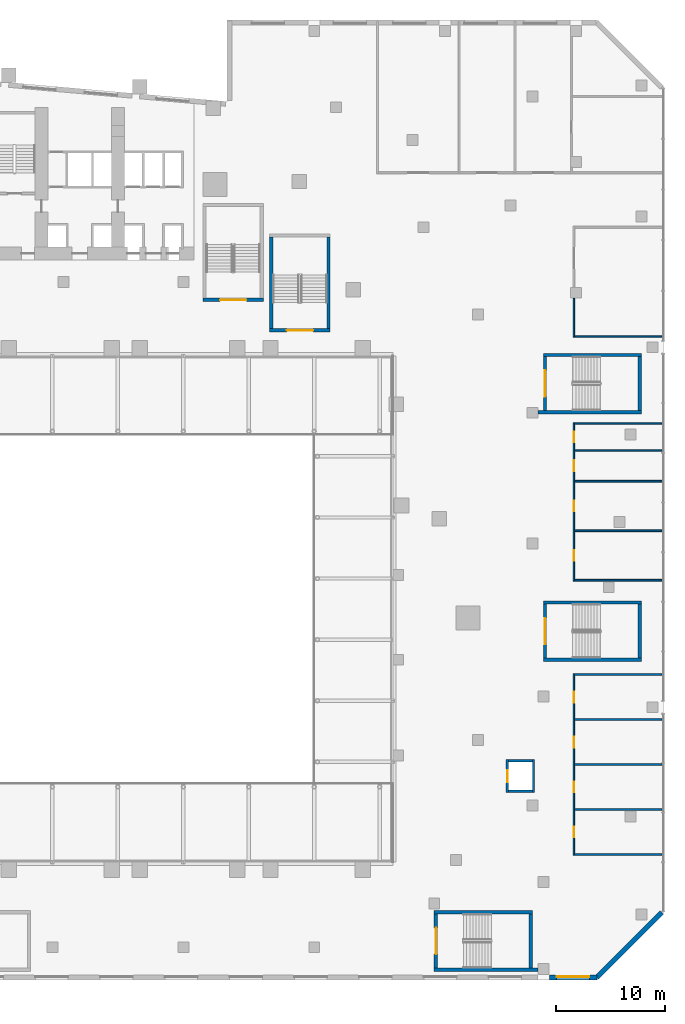
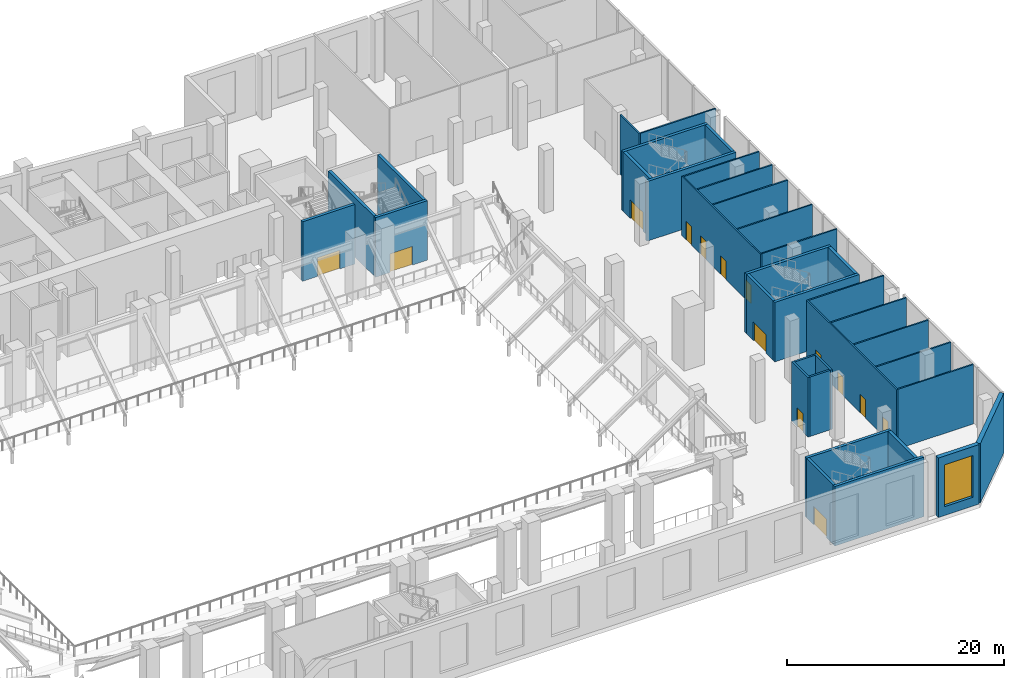
# One storey, part 23 of 41: 36 walls, 14 doors, 1 window, 15 openings.
"""IFC4 building model written with IfcOpenShell, lengths in metres."""

import ifcopenshell
import ifcopenshell.guid

model = None  # the IFC model being written
_history = None  # IfcOwnerHistory: only IFC2X3 demands one
_inside = {}  # id of a spatial element -> (the spatial element, [elements in it])
_under = {}  # id of a project, library or spatial element -> (it, [spatial elements below it])
_declared = {}  # id of a project -> (the project, [libraries it declares])
_typed = {}  # id of a type object -> (the type object, [elements of that type])
_made_of = {}  # id of a material, layer set ... -> (it, [elements and type objects made of it])


def new_model(schema):
    """Start an empty IFC model of exactly this schema.

    Asked for "IFC4X3", IfcOpenShell would pick the latest addendum, in which some entities
    have other attributes; the version numbers below select the first issue.
    IFC2X3 requires an IfcOwnerHistory on every rooted entity: one is made here for all.
    """
    global model, _history
    if schema == "IFC4X3":
        model = ifcopenshell.file(schema_version=(4, 3, 0, 0))
    else:
        model = ifcopenshell.file(schema=schema)
    _inside.clear()
    _under.clear()
    _declared.clear()
    _typed.clear()
    _made_of.clear()
    _history = None
    if model.schema == "IFC2X3":
        org = make("IfcOrganization", Name="unknown")
        user = make(
            "IfcPersonAndOrganization",
            ThePerson=make("IfcPerson", FamilyName="unknown"),
            TheOrganization=org,
        )
        app = make(
            "IfcApplication",
            ApplicationDeveloper=org,
            Version="unknown",
            ApplicationFullName="unknown",
            ApplicationIdentifier="unknown",
        )
        _history = make(
            "IfcOwnerHistory",
            OwningUser=user,
            OwningApplication=app,
            ChangeAction="ADDED",
            CreationDate=0,
        )
    return model


def make(cls, **values):
    """One entity of the class cls with the attributes given. An attribute that is None is left unset."""
    return model.create_entity(
        cls, **{name: value for name, value in values.items() if value is not None}
    )


def rooted(cls, **values):
    """An entity with a GlobalId (a new one), such as an element, a storey or a relation."""
    return make(cls, GlobalId=ifcopenshell.guid.new(), OwnerHistory=_history, **values)


def si_unit(unit_type, name, prefix=None):
    """IfcSIUnit, for example si_unit("LENGTHUNIT", "METRE", prefix="MILLI")."""
    return make("IfcSIUnit", UnitType=unit_type, Prefix=prefix, Name=name)


def assignment(units):
    """IfcUnitAssignment: the units of a project."""
    return None if units is None else make("IfcUnitAssignment", Units=units)


def point(xyz):
    """IfcCartesianPoint."""
    return None if xyz is None else make("IfcCartesianPoint", Coordinates=xyz)


def direction(xyz):
    """IfcDirection."""
    return None if xyz is None else make("IfcDirection", DirectionRatios=xyz)


def frame(location, z_axis=None, x_axis=None):
    """IfcAxis2Placement3D, a coordinate frame: its origin and axes. An axis left out is left unset."""
    return make(
        "IfcAxis2Placement3D",
        Location=point(location),
        Axis=direction(z_axis),
        RefDirection=direction(x_axis),
    )


def frame_2d(location, x_axis=None):
    """IfcAxis2Placement2D, a coordinate frame in the plane: its origin and x axis."""
    return make(
        "IfcAxis2Placement2D", Location=point(location), RefDirection=direction(x_axis)
    )


def origin():
    """The frame at (0, 0, 0) with its axes left unset."""
    return frame((0.0, 0.0, 0.0))


def place(relative_to, where):
    """IfcLocalPlacement: puts the frame where relative to a parent placement (None: the world)."""
    return make(
        "IfcLocalPlacement", PlacementRelTo=relative_to, RelativePlacement=where
    )


def context(
    kind, dimensions, precision=None, world=None, true_north=None, identifier=None
):
    """IfcGeometricRepresentationContext, for example the 3D "Model" context."""
    return make(
        "IfcGeometricRepresentationContext",
        ContextIdentifier=identifier,
        ContextType=kind,
        CoordinateSpaceDimension=dimensions,
        Precision=precision,
        WorldCoordinateSystem=world,
        TrueNorth=true_north,
    )


def subcontext(parent, identifier, kind, view, scale=None):
    """IfcGeometricRepresentationSubContext, for example "Body" below "Model"."""
    return make(
        "IfcGeometricRepresentationSubContext",
        ContextIdentifier=identifier,
        ContextType=kind,
        ParentContext=parent,
        TargetScale=scale,
        TargetView=view,
    )


def project(units=None, contexts=None):
    """IfcProject with its units and contexts."""
    return rooted(
        "IfcProject",
        Name="project",
        RepresentationContexts=contexts,
        UnitsInContext=assignment(units),
    )


def spatial(cls, under=None, at=None, **own):
    """A site, building, storey or space (cls), placed at a placement, below another one or the project."""
    s = rooted(cls, ObjectPlacement=at, **own)
    if under is not None:
        _under.setdefault(under.id(), (under, []))[1].append(s)
    return s


def profile(cls, at=None, kind="AREA", **sizes):
    """A parametric profile (cls). Its sizes go by their IFC names, for example OverallWidth=200.0."""
    return make(cls, ProfileType=kind, Position=at, **sizes)


def rectangle(**sizes):
    """IfcRectangleProfileDef."""
    return profile("IfcRectangleProfileDef", **sizes)


def extrude(swept, where, along, depth):
    """IfcExtrudedAreaSolid: the profile swept, set in the frame where, extruded along a direction by depth."""
    return make(
        "IfcExtrudedAreaSolid",
        SweptArea=swept,
        Position=where,
        ExtrudedDirection=direction(along),
        Depth=depth,
    )


def shape(context_of_items, identifier, shape_type, items):
    """IfcShapeRepresentation: the items that make up one representation, for example the "Body"."""
    return make(
        "IfcShapeRepresentation",
        ContextOfItems=context_of_items,
        RepresentationIdentifier=identifier,
        RepresentationType=shape_type,
        Items=items,
    )


def material(Name=None, Category=None):
    """IfcMaterial."""
    return make("IfcMaterial", Name=Name, Category=Category)


def layer(
    of_material, thickness, ventilated=None, Name=None, Category=None, Priority=None
):
    """IfcMaterialLayer: one layer of a wall or slab, of a material (None: an air gap)."""
    return make(
        "IfcMaterialLayer",
        Material=of_material,
        LayerThickness=thickness,
        IsVentilated=ventilated,
        Name=Name,
        Category=Category,
        Priority=Priority,
    )


def layer_set(layers, Name=None):
    """IfcMaterialLayerSet."""
    return make("IfcMaterialLayerSet", MaterialLayers=layers, LayerSetName=Name)


def made_of(thing, what):
    """Note that an element or type object is made of a material, layer set ...; save() writes the relation."""
    if what is not None:
        _made_of.setdefault(what.id(), (what, []))[1].append(thing)
    return thing


def type_object(cls, material=None, **own):
    """A type object (cls), such as IfcWallType, which elements share."""
    return made_of(rooted(cls, **own), material)


def element(
    cls,
    number,
    at=None,
    inside=None,
    cuts=None,
    type_object=None,
    material=None,
    context=None,
    identifier="Body",
    shape_type=None,
    held_by="IfcProductDefinitionShape",
    body=None,
    shapes=None,
    **own,
):
    """One element of the class cls, such as IfcWall. Its Tag is "e" and its number.

    at: its placement. inside: the storey or other place that contains it. cuts: it is an
    opening in that element (IfcRelVoidsElement). A single representation is given by context,
    identifier, shape_type and body (its items); several are given by shapes. held_by: the class
    of the entity that holds the representations. save() writes the other relations.
    """
    e = rooted(cls, Tag="e%d" % number, ObjectPlacement=at, **own)
    if body is not None:
        shapes = [shape(context, identifier, shape_type, body)]
    if shapes is not None:
        e.Representation = make(held_by, Representations=shapes)
    if inside is not None:
        _inside.setdefault(inside.id(), (inside, []))[1].append(e)
    if cuts is not None:
        rooted(
            "IfcRelVoidsElement", RelatingBuildingElement=cuts, RelatedOpeningElement=e
        )
    if type_object is not None:
        _typed.setdefault(type_object.id(), (type_object, []))[1].append(e)
    return made_of(e, material)


def fill(opening, filler):
    """IfcRelFillsElement: the door or window that sits in an opening."""
    return rooted(
        "IfcRelFillsElement",
        RelatingOpeningElement=opening,
        RelatedBuildingElement=filler,
    )


def aggregate(whole, parts):
    """IfcRelAggregates: a whole, such as a stair, and the parts it consists of."""
    return rooted("IfcRelAggregates", RelatingObject=whole, RelatedObjects=parts)


def save(model, path):
    """Write the relations noted so far, then the file.

    IfcRelAggregates (storeys below a building ...), IfcRelContainedInSpatialStructure (elements
    in a storey), IfcRelDefinesByType, IfcRelAssociatesMaterial and IfcRelDeclares: one each for
    every whole, place, type object, material and project.
    """
    for whole, parts in _under.values():
        aggregate(whole, parts)
    for where, things in _inside.values():
        rooted(
            "IfcRelContainedInSpatialStructure",
            RelatedElements=things,
            RelatingStructure=where,
        )
    for kind, things in _typed.values():
        rooted("IfcRelDefinesByType", RelatedObjects=things, RelatingType=kind)
    for what, things in _made_of.values():
        rooted("IfcRelAssociatesMaterial", RelatedObjects=things, RelatingMaterial=what)
    for by, libraries in _declared.values():
        rooted("IfcRelDeclares", RelatingContext=by, RelatedDefinitions=libraries)
    model.write(path)


model = new_model("IFC4")

# Units and contexts
model_context = context("Model", 3, precision=1e-05, world=origin(), true_north=direction((0.0, 1.0)))
body_context = subcontext(model_context, "Body", "Model", "MODEL_VIEW")
ifc_project = project(units=[si_unit("LENGTHUNIT", "METRE"), si_unit("AREAUNIT", "SQUARE_METRE"), si_unit("VOLUMEUNIT", "CUBIC_METRE"), si_unit("PLANEANGLEUNIT", "RADIAN"), si_unit("MASSUNIT", "GRAM", prefix="KILO")], contexts=[model_context])

# Site, building, storey
site_placement = place(None, origin())
site = spatial("IfcSite", under=ifc_project, at=site_placement, CompositionType="ELEMENT")
building_placement = place(site_placement, origin())
building = spatial("IfcBuilding", under=site, at=building_placement, Name="Wharfspan Tower", CompositionType="ELEMENT")
storey_placement = place(building_placement, frame((0.0, 0.0, 8.0)))
storey = spatial("IfcBuildingStorey", under=building, at=storey_placement, Name="L01", CompositionType="ELEMENT", Elevation=8.0)

# Walls
ifc_material_1 = material(Name="Calcium silicate masonry", Category="masonry")
ifc_layer_1 = layer(ifc_material_1, 0.149902)
ifc_layer_set_1 = layer_set([ifc_layer_1], Name="Calcium silicate masonry")
wall_type_1 = type_object("IfcWallType", Name="Podium room wall 150", PredefinedType="PARTITIONING", material=ifc_layer_set_1)
for number, where, z_axis, x_axis, name in (
    (1, (99.875, -20.5, 0.0), (0.0, 0.0, 1.0), (1.0, 0.0, 0.0), "iw:L01:2"),
    (2, (99.875, -4.0, 0.0), (0.0, 0.0, 1.0), (1.0, 0.0, 0.0), "iw:L01:10"),
    (3, (99.875, 19.0, 0.0), (0.0, 0.0, 1.0), (1.0, 0.0, 0.0), "iw:L01:16"),
    (4, (99.875, 4.649902, 0.0), (0.0, 0.0, 1.0), (1.0, 0.0, 0.0), "iw:L01:17"),
    (5, (99.875, 9.181885, 0.0), (0.0, 0.0, 1.0), (1.0, 0.0, 0.0), "iw:L01:18"),
):
    element("IfcWall", number, at=place(storey_placement, frame(where, z_axis=z_axis, x_axis=x_axis)), inside=storey, type_object=wall_type_1, Name=name, PredefinedType="PARTITIONING", context=body_context, shape_type="SweptSolid", body=[
        extrude(rectangle(XDim=8.02002, YDim=0.149902, at=frame_2d((4.01001, 0.0))), origin(), (0.0, 0.0, 1.0), 6.699951),
    ])

# Wall, openings, doors
wall_1_placement = place(storey_placement, frame((99.800049, -20.574951, 0.0), z_axis=(0.0, 0.0, 1.0), x_axis=(0.0, 1.0, 0.0)))
wall_1 = element("IfcWall", 6, at=wall_1_placement, inside=storey, type_object=wall_type_1, Name="iw:L01:19", PredefinedType="PARTITIONING", context=body_context, shape_type="SweptSolid", body=[
    extrude(rectangle(XDim=16.649902, YDim=0.149902, at=frame_2d((8.324951, 0.0))), origin(), (0.0, 0.0, 1.0), 6.699951),
])
opening_1_placement = place(wall_1_placement, frame((1.637451, 0.0, 0.0)))
opening_1 = element("IfcOpeningElement", 7, at=opening_1_placement, cuts=wall_1, Name="Opening PD01.13", PredefinedType="OPENING", context=body_context, shape_type="SweptSolid", body=[
    extrude(rectangle(XDim=1.0, YDim=2.100098, at=frame_2d((0.5, 1.050049))), frame((0.0, 0.084961, 0.0), z_axis=(0.0, -1.0, 0.0), x_axis=(1.0, 0.0, 0.0)), (0.0, 0.0, 1.0), 0.169922),
])
opening_2_placement = place(wall_1_placement, frame((5.762451, 0.0, 0.0)))
opening_2 = element("IfcOpeningElement", 8, at=opening_2_placement, cuts=wall_1, Name="Opening PD01.14", PredefinedType="OPENING", context=body_context, shape_type="SweptSolid", body=[
    extrude(rectangle(XDim=1.0, YDim=2.100098, at=frame_2d((0.5, 1.050049))), frame((0.0, 0.084961, 0.0), z_axis=(0.0, -1.0, 0.0), x_axis=(1.0, 0.0, 0.0)), (0.0, 0.0, 1.0), 0.169922),
])
opening_3_placement = place(wall_1_placement, frame((9.887451, 0.0, 0.0)))
opening_3 = element("IfcOpeningElement", 9, at=opening_3_placement, cuts=wall_1, Name="Opening PD01.15", PredefinedType="OPENING", context=body_context, shape_type="SweptSolid", body=[
    extrude(rectangle(XDim=1.0, YDim=2.100098, at=frame_2d((0.5, 1.050049))), frame((0.0, 0.084961, 0.0), z_axis=(0.0, -1.0, 0.0), x_axis=(1.0, 0.0, 0.0)), (0.0, 0.0, 1.0), 0.169922),
])
opening_4_placement = place(wall_1_placement, frame((14.012451, 0.0, 0.0)))
opening_4 = element("IfcOpeningElement", 10, at=opening_4_placement, cuts=wall_1, Name="Opening PD01.16", PredefinedType="OPENING", context=body_context, shape_type="SweptSolid", body=[
    extrude(rectangle(XDim=1.0, YDim=2.100098, at=frame_2d((0.5, 1.050049))), frame((0.0, 0.084961, 0.0), z_axis=(0.0, -1.0, 0.0), x_axis=(1.0, 0.0, 0.0)), (0.0, 0.0, 1.0), 0.169922),
])
ifc_material_2 = material(Name="Steel door leaf", Category="steel")
door_type_1 = type_object("IfcDoorType", Name="Podium room door 1000x2100", OperationType="SINGLE_SWING_LEFT", PredefinedType="DOOR", material=ifc_material_2)
door_1_placement = place(opening_1_placement, origin())
door_1 = element("IfcDoor", 11, at=door_1_placement, inside=storey, type_object=door_type_1, Name="id:L01:13", OperationType="SINGLE_SWING_RIGHT", OverallHeight=2.100098, OverallWidth=1.0, PredefinedType="DOOR", context=body_context, shape_type="SweptSolid", body=[
    extrude(rectangle(XDim=1.0, YDim=2.100098, at=frame_2d((0.5, 1.050049))), frame((0.0, 0.024902, 0.0), z_axis=(0.0, -1.0, 0.0), x_axis=(1.0, 0.0, 0.0)), (0.0, 0.0, 1.0), 0.050049),
])
fill(opening_1, door_1)
door_2_placement = place(opening_2_placement, origin())
door_2 = element("IfcDoor", 12, at=door_2_placement, inside=storey, type_object=door_type_1, Name="id:L01:14", OperationType="SINGLE_SWING_LEFT", OverallHeight=2.100098, OverallWidth=1.0, PredefinedType="DOOR", context=body_context, shape_type="SweptSolid", body=[
    extrude(rectangle(XDim=1.0, YDim=2.100098, at=frame_2d((0.5, 1.050049))), frame((0.0, 0.024902, 0.0), z_axis=(0.0, -1.0, 0.0), x_axis=(1.0, 0.0, 0.0)), (0.0, 0.0, 1.0), 0.050049),
])
fill(opening_2, door_2)
door_3_placement = place(opening_3_placement, origin())
door_3 = element("IfcDoor", 13, at=door_3_placement, inside=storey, type_object=door_type_1, Name="id:L01:15", OperationType="SINGLE_SWING_RIGHT", OverallHeight=2.100098, OverallWidth=1.0, PredefinedType="DOOR", context=body_context, shape_type="SweptSolid", body=[
    extrude(rectangle(XDim=1.0, YDim=2.100098, at=frame_2d((0.5, 1.050049))), frame((0.0, 0.024902, 0.0), z_axis=(0.0, -1.0, 0.0), x_axis=(1.0, 0.0, 0.0)), (0.0, 0.0, 1.0), 0.050049),
])
fill(opening_3, door_3)
door_4_placement = place(opening_4_placement, origin())
door_4 = element("IfcDoor", 14, at=door_4_placement, inside=storey, type_object=door_type_1, Name="id:L01:16", OperationType="SINGLE_SWING_LEFT", OverallHeight=2.100098, OverallWidth=1.0, PredefinedType="DOOR", context=body_context, shape_type="SweptSolid", body=[
    extrude(rectangle(XDim=1.0, YDim=2.100098, at=frame_2d((0.5, 1.050049))), frame((0.0, 0.024902, 0.0), z_axis=(0.0, -1.0, 0.0), x_axis=(1.0, 0.0, 0.0)), (0.0, 0.0, 1.0), 0.050049),
])
fill(opening_4, door_4)

wall_2_placement = place(storey_placement, frame((99.800049, 4.574951, 0.0), z_axis=(0.0, 0.0, 1.0), x_axis=(0.0, 1.0, 0.0)))
wall_2 = element("IfcWall", 15, at=wall_2_placement, inside=storey, type_object=wall_type_1, Name="iw:L01:20", PredefinedType="PARTITIONING", context=body_context, shape_type="SweptSolid", body=[
    extrude(rectangle(XDim=14.5, YDim=0.149902, at=frame_2d((7.25, 0.0))), origin(), (0.0, 0.0, 1.0), 6.699951),
])
opening_5_placement = place(wall_2_placement, frame((1.84082, 0.0, 0.0)))
opening_5 = element("IfcOpeningElement", 16, at=opening_5_placement, cuts=wall_2, Name="Opening PD01.9", PredefinedType="OPENING", context=body_context, shape_type="SweptSolid", body=[
    extrude(rectangle(XDim=1.0, YDim=2.100098, at=frame_2d((0.5, 1.050049))), frame((0.0, 0.084961, 0.0), z_axis=(0.0, -1.0, 0.0), x_axis=(1.0, 0.0, 0.0)), (0.0, 0.0, 1.0), 0.169922),
])
opening_6_placement = place(wall_2_placement, frame((6.372314, 0.0, 0.0)))
opening_6 = element("IfcOpeningElement", 17, at=opening_6_placement, cuts=wall_2, Name="Opening PD01.10", PredefinedType="OPENING", context=body_context, shape_type="SweptSolid", body=[
    extrude(rectangle(XDim=1.0, YDim=2.100098, at=frame_2d((0.5, 1.050049))), frame((0.0, 0.084961, 0.0), z_axis=(0.0, -1.0, 0.0), x_axis=(1.0, 0.0, 0.0)), (0.0, 0.0, 1.0), 0.169922),
])
opening_7_placement = place(wall_2_placement, frame((10.054199, 0.0, 0.0)))
opening_7 = element("IfcOpeningElement", 18, at=opening_7_placement, cuts=wall_2, Name="Opening PD01.11", PredefinedType="OPENING", context=body_context, shape_type="SweptSolid", body=[
    extrude(rectangle(XDim=1.0, YDim=2.100098, at=frame_2d((0.5, 1.050049))), frame((0.0, 0.084961, 0.0), z_axis=(0.0, -1.0, 0.0), x_axis=(1.0, 0.0, 0.0)), (0.0, 0.0, 1.0), 0.169922),
])
opening_8_placement = place(wall_2_placement, frame((12.697754, 0.0, 0.0)))
opening_8 = element("IfcOpeningElement", 19, at=opening_8_placement, cuts=wall_2, Name="Opening PD01.12", PredefinedType="OPENING", context=body_context, shape_type="SweptSolid", body=[
    extrude(rectangle(XDim=1.0, YDim=2.100098, at=frame_2d((0.5, 1.050049))), frame((0.0, 0.084961, 0.0), z_axis=(0.0, -1.0, 0.0), x_axis=(1.0, 0.0, 0.0)), (0.0, 0.0, 1.0), 0.169922),
])
door_5_placement = place(opening_5_placement, origin())
door_5 = element("IfcDoor", 20, at=door_5_placement, inside=storey, type_object=door_type_1, Name="id:L01:9", OperationType="SINGLE_SWING_RIGHT", OverallHeight=2.100098, OverallWidth=1.0, PredefinedType="DOOR", context=body_context, shape_type="SweptSolid", body=[
    extrude(rectangle(XDim=1.0, YDim=2.100098, at=frame_2d((0.5, 1.050049))), frame((0.0, 0.024902, 0.0), z_axis=(0.0, -1.0, 0.0), x_axis=(1.0, 0.0, 0.0)), (0.0, 0.0, 1.0), 0.050049),
])
fill(opening_5, door_5)
door_6_placement = place(opening_6_placement, origin())
door_6 = element("IfcDoor", 21, at=door_6_placement, inside=storey, type_object=door_type_1, Name="id:L01:10", OperationType="SINGLE_SWING_LEFT", OverallHeight=2.100098, OverallWidth=1.0, PredefinedType="DOOR", context=body_context, shape_type="SweptSolid", body=[
    extrude(rectangle(XDim=1.0, YDim=2.100098, at=frame_2d((0.5, 1.050049))), frame((0.0, 0.024902, 0.0), z_axis=(0.0, -1.0, 0.0), x_axis=(1.0, 0.0, 0.0)), (0.0, 0.0, 1.0), 0.050049),
])
fill(opening_6, door_6)
door_7_placement = place(opening_7_placement, origin())
door_7 = element("IfcDoor", 22, at=door_7_placement, inside=storey, type_object=door_type_1, Name="id:L01:11", OperationType="SINGLE_SWING_RIGHT", OverallHeight=2.100098, OverallWidth=1.0, PredefinedType="DOOR", context=body_context, shape_type="SweptSolid", body=[
    extrude(rectangle(XDim=1.0, YDim=2.100098, at=frame_2d((0.5, 1.050049))), frame((0.0, 0.024902, 0.0), z_axis=(0.0, -1.0, 0.0), x_axis=(1.0, 0.0, 0.0)), (0.0, 0.0, 1.0), 0.050049),
])
fill(opening_7, door_7)
door_8_placement = place(opening_8_placement, origin())
door_8 = element("IfcDoor", 23, at=door_8_placement, inside=storey, type_object=door_type_1, Name="id:L01:12", OperationType="SINGLE_SWING_LEFT", OverallHeight=2.100098, OverallWidth=1.0, PredefinedType="DOOR", context=body_context, shape_type="SweptSolid", body=[
    extrude(rectangle(XDim=1.0, YDim=2.100098, at=frame_2d((0.5, 1.050049))), frame((0.0, 0.024902, 0.0), z_axis=(0.0, -1.0, 0.0), x_axis=(1.0, 0.0, 0.0)), (0.0, 0.0, 1.0), 0.050049),
])
fill(opening_8, door_8)

# Walls
wall_3_placement = place(storey_placement, frame((99.800049, 26.925049, 0.0), z_axis=(0.0, 0.0, 1.0), x_axis=(0.0, 1.0, 0.0)))
element("IfcWall", 24, at=wall_3_placement, inside=storey, type_object=wall_type_1, Name="iw:L01:21", PredefinedType="PARTITIONING", context=body_context, shape_type="SweptSolid", body=[
    extrude(rectangle(XDim=3.564941, YDim=0.149902, at=frame_2d((1.782471, 0.0))), origin(), (0.0, 0.0, 1.0), 6.699951),
])
for number, where, z_axis, x_axis, name in (
    (25, (99.875, 13.712891, 0.0), (0.0, 0.0, 1.0), (1.0, 0.0, 0.0), "iw:L01:23"),
    (26, (99.875, 16.544922, 0.0), (0.0, 0.0, 1.0), (1.0, 0.0, 0.0), "iw:L01:24"),
    (27, (99.875, -16.375, 0.0), (0.0, 0.0, 1.0), (1.0, 0.0, 0.0), "iw:L01:25"),
    (28, (99.875, -12.25, 0.0), (0.0, 0.0, 1.0), (1.0, 0.0, 0.0), "iw:L01:26"),
    (29, (99.875, -8.125, 0.0), (0.0, 0.0, 1.0), (1.0, 0.0, 0.0), "iw:L01:27"),
    (30, (99.875, 27.0, 0.0), (0.0, 0.0, 1.0), (1.0, 0.0, 0.0), "iw:L01:32"),
):
    element("IfcWall", number, at=place(storey_placement, frame(where, z_axis=z_axis, x_axis=x_axis)), inside=storey, type_object=wall_type_1, Name=name, PredefinedType="PARTITIONING", context=body_context, shape_type="SweptSolid", body=[
        extrude(rectangle(XDim=8.02002, YDim=0.149902, at=frame_2d((4.01001, 0.0))), origin(), (0.0, 0.0, 1.0), 6.699951),
    ])

# Wall, opening, door
ifc_material_3 = material(Name="Concrete C30/37", Category="concrete")
ifc_layer_2 = layer(ifc_material_3, 0.199951)
ifc_layer_set_2 = layer_set([ifc_layer_2], Name="Concrete C30/37")
wall_type_2 = type_object("IfcWallType", Name="Podium shaft wall 200", PredefinedType="PARTITIONING", material=ifc_layer_set_2)
wall_4_placement = place(storey_placement, frame((93.699951, -14.800049, 0.0), z_axis=(0.0, 0.0, 1.0), x_axis=(0.0, 1.0, 0.0)))
wall_4 = element("IfcWall", 31, at=wall_4_placement, inside=storey, type_object=wall_type_2, Name="pl:LP4:L01:W", PredefinedType="PARTITIONING", context=body_context, shape_type="SweptSolid", body=[
    extrude(rectangle(XDim=3.0, YDim=0.199951, at=frame_2d((1.5, 0.0))), origin(), (0.0, 0.0, 1.0), 6.699951),
])
opening_9_placement = place(wall_4_placement, frame((0.949951, 0.0, 0.0)))
opening_9 = element("IfcOpeningElement", 32, at=opening_9_placement, cuts=wall_4, Name="Opening LDP4.L01", PredefinedType="OPENING", context=body_context, shape_type="SweptSolid", body=[
    extrude(rectangle(XDim=1.100098, YDim=2.100098, at=frame_2d((0.550049, 1.050049))), frame((0.0, 0.109863, 0.0), z_axis=(0.0, -1.0, 0.0), x_axis=(1.0, 0.0, 0.0)), (0.0, 0.0, 1.0), 0.219971),
])
ifc_material_4 = material(Name="Stainless steel", Category="steel")
door_type_2 = type_object("IfcDoorType", Name="Podium lift landing door 1100x2100", OperationType="DOUBLE_DOOR_SLIDING", PredefinedType="DOOR", material=ifc_material_4)
door_9_placement = place(opening_9_placement, origin())
door_9 = element("IfcDoor", 33, at=door_9_placement, inside=storey, type_object=door_type_2, Name="Landing door LP4 L01", OperationType="DOUBLE_DOOR_SLIDING", OverallHeight=2.100098, OverallWidth=1.100098, PredefinedType="DOOR", context=body_context, shape_type="SweptSolid", body=[
    extrude(rectangle(XDim=1.100098, YDim=2.100098, at=frame_2d((0.550049, 1.050049))), frame((0.0, 0.024902, 0.0), z_axis=(0.0, -1.0, 0.0), x_axis=(1.0, 0.0, 0.0)), (0.0, 0.0, 1.0), 0.050049),
])
fill(opening_9, door_9)

# Walls
wall_5_placement = place(storey_placement, frame((96.100098, -14.800049, 0.0), z_axis=(0.0, 0.0, 1.0), x_axis=(0.0, 1.0, 0.0)))
element("IfcWall", 34, at=wall_5_placement, inside=storey, type_object=wall_type_2, Name="pl:LP4:L01:E", PredefinedType="PARTITIONING", context=body_context, shape_type="SweptSolid", body=[
    extrude(rectangle(XDim=3.0, YDim=0.199951, at=frame_2d((1.5, 0.0))), origin(), (0.0, 0.0, 1.0), 6.699951),
])
for number, where, z_axis, x_axis, name in (
    (35, (93.800049, -14.699951, 0.0), (0.0, 0.0, 1.0), (1.0, 0.0, 0.0), "pl:LP4:L01:S"),
    (36, (93.800049, -11.899902, 0.0), (0.0, 0.0, 1.0), (1.0, 0.0, 0.0), "pl:LP4:L01:N"),
):
    element("IfcWall", number, at=place(storey_placement, frame(where, z_axis=z_axis, x_axis=x_axis)), inside=storey, type_object=wall_type_2, Name=name, PredefinedType="PARTITIONING", context=body_context, shape_type="SweptSolid", body=[
        extrude(rectangle(XDim=2.199951, YDim=0.199951, at=frame_2d((1.100098, 0.0))), origin(), (0.0, 0.0, 1.0), 6.699951),
    ])
ifc_material_5 = material(Name="Concrete C40/50", Category="concrete")
ifc_layer_3 = layer(ifc_material_5, 0.300049)
ifc_layer_set_3 = layer_set([ifc_layer_3], Name="Concrete C40/50")
wall_type_3 = type_object("IfcWallType", Name="Podium stair core wall 300", PredefinedType="SHEAR", material=ifc_layer_set_3)
wall_6_placement = place(storey_placement, frame((87.0, -31.050049, 0.0), z_axis=(0.0, 0.0, 1.0), x_axis=(1.0, 0.0, 0.0)))
element("IfcWall", 37, at=wall_6_placement, inside=storey, type_object=wall_type_3, Name="iw:L01:AS2S", PredefinedType="SHEAR", context=body_context, shape_type="SweptSolid", body=[
    extrude(rectangle(XDim=9.5, YDim=0.300049, at=frame_2d((4.75, 0.0))), origin(), (0.0, 0.0, 1.0), 6.699951),
])
wall_7_placement = place(storey_placement, frame((87.0, -25.800049, 0.0), z_axis=(0.0, 0.0, 1.0), x_axis=(1.0, 0.0, 0.0)))
element("IfcWall", 38, at=wall_7_placement, inside=storey, type_object=wall_type_3, Name="iw:L01:AS2N", PredefinedType="SHEAR", context=body_context, shape_type="SweptSolid", body=[
    extrude(rectangle(XDim=9.0, YDim=0.300049, at=frame_2d((4.5, 0.0))), origin(), (0.0, 0.0, 1.0), 6.699951),
])

# Wall, opening, door
wall_8_placement = place(storey_placement, frame((87.149902, -30.899902, 0.0), z_axis=(0.0, 0.0, 1.0), x_axis=(0.0, 1.0, 0.0)))
wall_8 = element("IfcWall", 39, at=wall_8_placement, inside=storey, type_object=wall_type_3, Name="iw:L01:AS2W", PredefinedType="SHEAR", context=body_context, shape_type="SweptSolid", body=[
    extrude(rectangle(XDim=4.949951, YDim=0.300049, at=frame_2d((2.475098, 0.0))), origin(), (0.0, 0.0, 1.0), 6.699951),
])
opening_10_placement = place(wall_8_placement, frame((1.274902, 0.0, 0.0)))
opening_10 = element("IfcOpeningElement", 40, at=opening_10_placement, cuts=wall_8, Name="Opening SDAS2.L01", PredefinedType="OPENING", context=body_context, shape_type="SweptSolid", body=[
    extrude(rectangle(XDim=2.399902, YDim=2.100098, at=frame_2d((1.199951, 1.050049))), frame((0.0, 0.159912, 0.0), z_axis=(0.0, -1.0, 0.0), x_axis=(1.0, 0.0, 0.0)), (0.0, 0.0, 1.0), 0.320068),
])
door_type_3 = type_object("IfcDoorType", Name="Podium stair door 2400x2100", OperationType="DOUBLE_DOOR_SINGLE_SWING", PredefinedType="DOOR", material=ifc_material_2)
door_10_placement = place(opening_10_placement, origin())
door_10 = element("IfcDoor", 41, at=door_10_placement, inside=storey, type_object=door_type_3, Name="id:L01:AS2", OperationType="DOUBLE_DOOR_SINGLE_SWING", OverallHeight=2.100098, OverallWidth=2.399902, PredefinedType="DOOR", context=body_context, shape_type="SweptSolid", body=[
    extrude(rectangle(XDim=2.399902, YDim=2.100098, at=frame_2d((1.199951, 1.050049))), frame((0.0, 0.024902, 0.0), z_axis=(0.0, -1.0, 0.0), x_axis=(1.0, 0.0, 0.0)), (0.0, 0.0, 1.0), 0.050049),
])
fill(opening_10, door_10)

# Walls
wall_9_placement = place(storey_placement, frame((95.850098, -30.899902, 0.0), z_axis=(0.0, 0.0, 1.0), x_axis=(0.0, 1.0, 0.0)))
element("IfcWall", 42, at=wall_9_placement, inside=storey, type_object=wall_type_3, Name="iw:L01:AS2E", PredefinedType="SHEAR", context=body_context, shape_type="SweptSolid", body=[
    extrude(rectangle(XDim=4.949951, YDim=0.300049, at=frame_2d((2.475098, 0.0))), origin(), (0.0, 0.0, 1.0), 6.699951),
])
for number, where, z_axis, x_axis, name in (
    (43, (97.0, -2.649902, 0.0), (0.0, 0.0, 1.0), (1.0, 0.0, 0.0), "iw:L01:AS8S"),
    (44, (97.0, 2.600098, 0.0), (0.0, 0.0, 1.0), (1.0, 0.0, 0.0), "iw:L01:AS8N"),
):
    element("IfcWall", number, at=place(storey_placement, frame(where, z_axis=z_axis, x_axis=x_axis)), inside=storey, type_object=wall_type_3, Name=name, PredefinedType="SHEAR", context=body_context, shape_type="SweptSolid", body=[
        extrude(rectangle(XDim=9.0, YDim=0.300049, at=frame_2d((4.5, 0.0))), origin(), (0.0, 0.0, 1.0), 6.699951),
    ])

# Wall, opening, door
wall_10_placement = place(storey_placement, frame((97.149902, -2.5, 0.0), z_axis=(0.0, 0.0, 1.0), x_axis=(0.0, 1.0, 0.0)))
wall_10 = element("IfcWall", 45, at=wall_10_placement, inside=storey, type_object=wall_type_3, Name="iw:L01:AS8W", PredefinedType="SHEAR", context=body_context, shape_type="SweptSolid", body=[
    extrude(rectangle(XDim=4.949951, YDim=0.300049, at=frame_2d((2.475098, 0.0))), origin(), (0.0, 0.0, 1.0), 6.699951),
])
opening_11_placement = place(wall_10_placement, frame((1.274902, 0.0, 0.0)))
opening_11 = element("IfcOpeningElement", 46, at=opening_11_placement, cuts=wall_10, Name="Opening SDAS8.L01", PredefinedType="OPENING", context=body_context, shape_type="SweptSolid", body=[
    extrude(rectangle(XDim=2.399902, YDim=2.100098, at=frame_2d((1.199951, 1.050049))), frame((0.0, 0.159912, 0.0), z_axis=(0.0, -1.0, 0.0), x_axis=(1.0, 0.0, 0.0)), (0.0, 0.0, 1.0), 0.320068),
])
door_11_placement = place(opening_11_placement, origin())
door_11 = element("IfcDoor", 47, at=door_11_placement, inside=storey, type_object=door_type_3, Name="id:L01:AS8", OperationType="DOUBLE_DOOR_SINGLE_SWING", OverallHeight=2.100098, OverallWidth=2.399902, PredefinedType="DOOR", context=body_context, shape_type="SweptSolid", body=[
    extrude(rectangle(XDim=2.399902, YDim=2.100098, at=frame_2d((1.199951, 1.050049))), frame((0.0, 0.024902, 0.0), z_axis=(0.0, -1.0, 0.0), x_axis=(1.0, 0.0, 0.0)), (0.0, 0.0, 1.0), 0.050049),
])
fill(opening_11, door_11)

# Walls
wall_11_placement = place(storey_placement, frame((105.850098, -2.5, 0.0), z_axis=(0.0, 0.0, 1.0), x_axis=(0.0, 1.0, 0.0)))
element("IfcWall", 48, at=wall_11_placement, inside=storey, type_object=wall_type_3, Name="iw:L01:AS8E", PredefinedType="SHEAR", context=body_context, shape_type="SweptSolid", body=[
    extrude(rectangle(XDim=4.949951, YDim=0.300049, at=frame_2d((2.475098, 0.0))), origin(), (0.0, 0.0, 1.0), 6.699951),
])
wall_12_placement = place(storey_placement, frame((96.5, 20.050049, 0.0), z_axis=(0.0, 0.0, 1.0), x_axis=(1.0, 0.0, 0.0)))
element("IfcWall", 49, at=wall_12_placement, inside=storey, type_object=wall_type_3, Name="iw:L01:AS4S", PredefinedType="SHEAR", context=body_context, shape_type="SweptSolid", body=[
    extrude(rectangle(XDim=9.5, YDim=0.300049, at=frame_2d((4.75, 0.0))), origin(), (0.0, 0.0, 1.0), 6.699951),
])
wall_13_placement = place(storey_placement, frame((97.0, 25.300049, 0.0), z_axis=(0.0, 0.0, 1.0), x_axis=(1.0, 0.0, 0.0)))
element("IfcWall", 50, at=wall_13_placement, inside=storey, type_object=wall_type_3, Name="iw:L01:AS4N", PredefinedType="SHEAR", context=body_context, shape_type="SweptSolid", body=[
    extrude(rectangle(XDim=9.0, YDim=0.300049, at=frame_2d((4.5, 0.0))), origin(), (0.0, 0.0, 1.0), 6.699951),
])

# Wall, opening, door
wall_14_placement = place(storey_placement, frame((97.149902, 20.199951, 0.0), z_axis=(0.0, 0.0, 1.0), x_axis=(0.0, 1.0, 0.0)))
wall_14 = element("IfcWall", 51, at=wall_14_placement, inside=storey, type_object=wall_type_3, Name="iw:L01:AS4W", PredefinedType="SHEAR", context=body_context, shape_type="SweptSolid", body=[
    extrude(rectangle(XDim=4.949951, YDim=0.300049, at=frame_2d((2.475098, 0.0))), origin(), (0.0, 0.0, 1.0), 6.699951),
])
opening_12_placement = place(wall_14_placement, frame((1.274902, 0.0, 0.0)))
opening_12 = element("IfcOpeningElement", 52, at=opening_12_placement, cuts=wall_14, Name="Opening SDAS4.L01", PredefinedType="OPENING", context=body_context, shape_type="SweptSolid", body=[
    extrude(rectangle(XDim=2.399902, YDim=2.100098, at=frame_2d((1.199951, 1.050049))), frame((0.0, 0.159912, 0.0), z_axis=(0.0, -1.0, 0.0), x_axis=(1.0, 0.0, 0.0)), (0.0, 0.0, 1.0), 0.320068),
])
door_12_placement = place(opening_12_placement, origin())
door_12 = element("IfcDoor", 53, at=door_12_placement, inside=storey, type_object=door_type_3, Name="id:L01:AS4", OperationType="DOUBLE_DOOR_SINGLE_SWING", OverallHeight=2.100098, OverallWidth=2.399902, PredefinedType="DOOR", context=body_context, shape_type="SweptSolid", body=[
    extrude(rectangle(XDim=2.399902, YDim=2.100098, at=frame_2d((1.199951, 1.050049))), frame((0.0, 0.024902, 0.0), z_axis=(0.0, -1.0, 0.0), x_axis=(1.0, 0.0, 0.0)), (0.0, 0.0, 1.0), 0.050049),
])
fill(opening_12, door_12)

# Wall
wall_15_placement = place(storey_placement, frame((105.850098, 20.199951, 0.0), z_axis=(0.0, 0.0, 1.0), x_axis=(0.0, 1.0, 0.0)))
element("IfcWall", 54, at=wall_15_placement, inside=storey, type_object=wall_type_3, Name="iw:L01:AS4E", PredefinedType="SHEAR", context=body_context, shape_type="SweptSolid", body=[
    extrude(rectangle(XDim=4.949951, YDim=0.300049, at=frame_2d((2.475098, 0.0))), origin(), (0.0, 0.0, 1.0), 6.699951),
])

# Wall, opening, door
wall_16_placement = place(storey_placement, frame((65.800049, 30.350098, 0.0), z_axis=(0.0, 0.0, 1.0), x_axis=(1.0, 0.0, 0.0)))
wall_16 = element("IfcWall", 55, at=wall_16_placement, inside=storey, type_object=wall_type_3, Name="iw:L01:PS4S", PredefinedType="SHEAR", context=body_context, shape_type="SweptSolid", body=[
    extrude(rectangle(XDim=5.550049, YDim=0.300049, at=frame_2d((2.774902, 0.0))), origin(), (0.0, 0.0, 1.0), 6.699951),
])
opening_13_placement = place(wall_16_placement, frame((1.574951, 0.0, 0.0)))
opening_13 = element("IfcOpeningElement", 56, at=opening_13_placement, cuts=wall_16, Name="Opening SDPS4.L01", PredefinedType="OPENING", context=body_context, shape_type="SweptSolid", body=[
    extrude(rectangle(XDim=2.399902, YDim=2.100098, at=frame_2d((1.199951, 1.050049))), frame((0.0, 0.159912, 0.0), z_axis=(0.0, -1.0, 0.0), x_axis=(1.0, 0.0, 0.0)), (0.0, 0.0, 1.0), 0.320068),
])
door_13_placement = place(opening_13_placement, origin())
door_13 = element("IfcDoor", 57, at=door_13_placement, inside=storey, type_object=door_type_3, Name="id:L01:PS4", OperationType="DOUBLE_DOOR_SINGLE_SWING", OverallHeight=2.100098, OverallWidth=2.399902, PredefinedType="DOOR", context=body_context, shape_type="SweptSolid", body=[
    extrude(rectangle(XDim=2.399902, YDim=2.100098, at=frame_2d((1.199951, 1.050049))), frame((0.0, 0.024902, 0.0), z_axis=(0.0, -1.0, 0.0), x_axis=(1.0, 0.0, 0.0)), (0.0, 0.0, 1.0), 0.050049),
])
fill(opening_13, door_13)

wall_17_placement = place(storey_placement, frame((71.91748, 27.550049, 0.0), z_axis=(0.0, 0.0, 1.0), x_axis=(1.0, 0.0, 0.0)))
wall_17 = element("IfcWall", 58, at=wall_17_placement, inside=storey, type_object=wall_type_3, Name="iw:L01:PS5S", PredefinedType="SHEAR", context=body_context, shape_type="SweptSolid", body=[
    extrude(rectangle(XDim=5.550049, YDim=0.300049, at=frame_2d((2.774902, 0.0))), origin(), (0.0, 0.0, 1.0), 6.699951),
])
opening_14_placement = place(wall_17_placement, frame((1.574951, 0.0, 0.0)))
opening_14 = element("IfcOpeningElement", 59, at=opening_14_placement, cuts=wall_17, Name="Opening SDPS5.L01", PredefinedType="OPENING", context=body_context, shape_type="SweptSolid", body=[
    extrude(rectangle(XDim=2.399902, YDim=2.100098, at=frame_2d((1.199951, 1.050049))), frame((0.0, 0.159912, 0.0), z_axis=(0.0, -1.0, 0.0), x_axis=(1.0, 0.0, 0.0)), (0.0, 0.0, 1.0), 0.320068),
])
door_14_placement = place(opening_14_placement, origin())
door_14 = element("IfcDoor", 60, at=door_14_placement, inside=storey, type_object=door_type_3, Name="id:L01:PS5", OperationType="DOUBLE_DOOR_SINGLE_SWING", OverallHeight=2.100098, OverallWidth=2.399902, PredefinedType="DOOR", context=body_context, shape_type="SweptSolid", body=[
    extrude(rectangle(XDim=2.399902, YDim=2.100098, at=frame_2d((1.199951, 1.050049))), frame((0.0, 0.024902, 0.0), z_axis=(0.0, -1.0, 0.0), x_axis=(1.0, 0.0, 0.0)), (0.0, 0.0, 1.0), 0.050049),
])
fill(opening_14, door_14)

# Walls
for number, where, z_axis, x_axis, name in (
    (61, (72.067383, 27.699951, 0.0), (0.0, 0.0, 1.0), (0.0, 1.0, 0.0), "iw:L01:PS5W"),
    (62, (77.317383, 27.699951, 0.0), (0.0, 0.0, 1.0), (0.0, 1.0, 0.0), "iw:L01:PS5E"),
):
    element("IfcWall", number, at=place(storey_placement, frame(where, z_axis=z_axis, x_axis=x_axis)), inside=storey, type_object=wall_type_3, Name=name, PredefinedType="SHEAR", context=body_context, shape_type="SweptSolid", body=[
        extrude(rectangle(XDim=8.400146, YDim=0.300049, at=frame_2d((4.200195, 0.0))), origin(), (0.0, 0.0, 1.0), 6.699951),
    ])

# Wall, opening, window
ifc_layer_4 = layer(ifc_material_5, 0.449951)
ifc_layer_set_4 = layer_set([ifc_layer_4], Name="Concrete C40/50")
wall_type_4 = type_object("IfcWallType", Name="WALL BOARD-MARKED CONCRETE 450", PredefinedType="SOLIDWALL", material=ifc_layer_set_4)
wall_18_placement = place(storey_placement, frame((97.550049, -31.774902, 0.0), z_axis=(0.0, 0.0, 1.0), x_axis=(1.0, 0.0, 0.0)))
wall_18 = element("IfcWall", 63, at=wall_18_placement, inside=storey, type_object=wall_type_4, Name="Podium wall PF1", PredefinedType="SOLIDWALL", context=body_context, shape_type="SweptSolid", body=[
    extrude(rectangle(XDim=4.349854, YDim=0.449951, at=frame_2d((2.174805, 0.0))), origin(), (0.0, 0.0, 1.0), 6.699951),
])
opening_15_placement = place(wall_18_placement, frame((0.675049, 0.0, 1.0)))
opening_15 = element("IfcOpeningElement", 64, at=opening_15_placement, cuts=wall_18, Name="Opening EWN1", PredefinedType="OPENING", context=body_context, shape_type="SweptSolid", body=[
    extrude(rectangle(XDim=3.0, YDim=4.699951, at=frame_2d((1.5, 2.350098))), frame((0.0, 0.234863, 0.0), z_axis=(0.0, -1.0, 0.0), x_axis=(1.0, 0.0, 0.0)), (0.0, 0.0, 1.0), 0.469971),
])
ifc_material_6 = material(Name="Aluminium 6063-T6", Category="aluminium")
window_type = type_object("IfcWindowType", Name="WINDOW 3000x4700", PartitioningType="SINGLE_PANEL", PredefinedType="WINDOW", material=ifc_material_6)
window_placement = place(opening_15_placement, origin())
window = element("IfcWindow", 65, at=window_placement, inside=storey, type_object=window_type, Name="Podium window", OverallHeight=4.699951, OverallWidth=3.0, PartitioningType="SINGLE_PANEL", PredefinedType="WINDOW", context=body_context, shape_type="SweptSolid", body=[
    extrude(rectangle(XDim=3.0, YDim=4.699951, at=frame_2d((1.5, 2.350098))), frame((0.0, 0.10498, 0.0), z_axis=(0.0, -1.0, 0.0), x_axis=(1.0, 0.0, 0.0)), (0.0, 0.0, 1.0), 0.060059),
])
fill(opening_15, window)

# Wall
wall_19_placement = place(storey_placement, frame((101.911621, -31.770264, 0.0), z_axis=(0.0, 0.0, 1.0), x_axis=(0.707092, 0.707121, 0.0)))
element("IfcWall", 66, at=wall_19_placement, inside=storey, type_object=wall_type_4, Name="Podium wall PF2", PredefinedType="SOLIDWALL", context=body_context, shape_type="SweptSolid", body=[
    extrude(rectangle(XDim=8.425293, YDim=0.449951, at=frame_2d((4.212646, 0.0))), origin(), (0.0, 0.0, 1.0), 6.699951),
])

save(model, "model.ifc")
